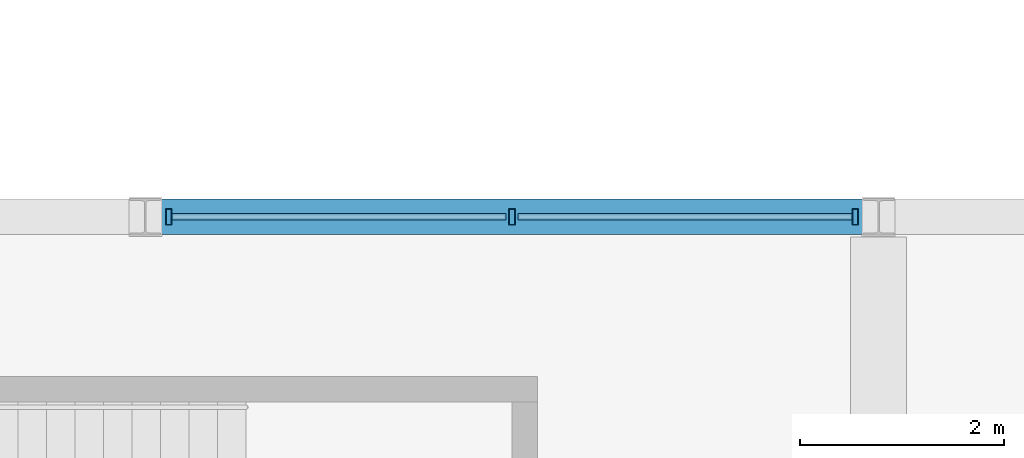
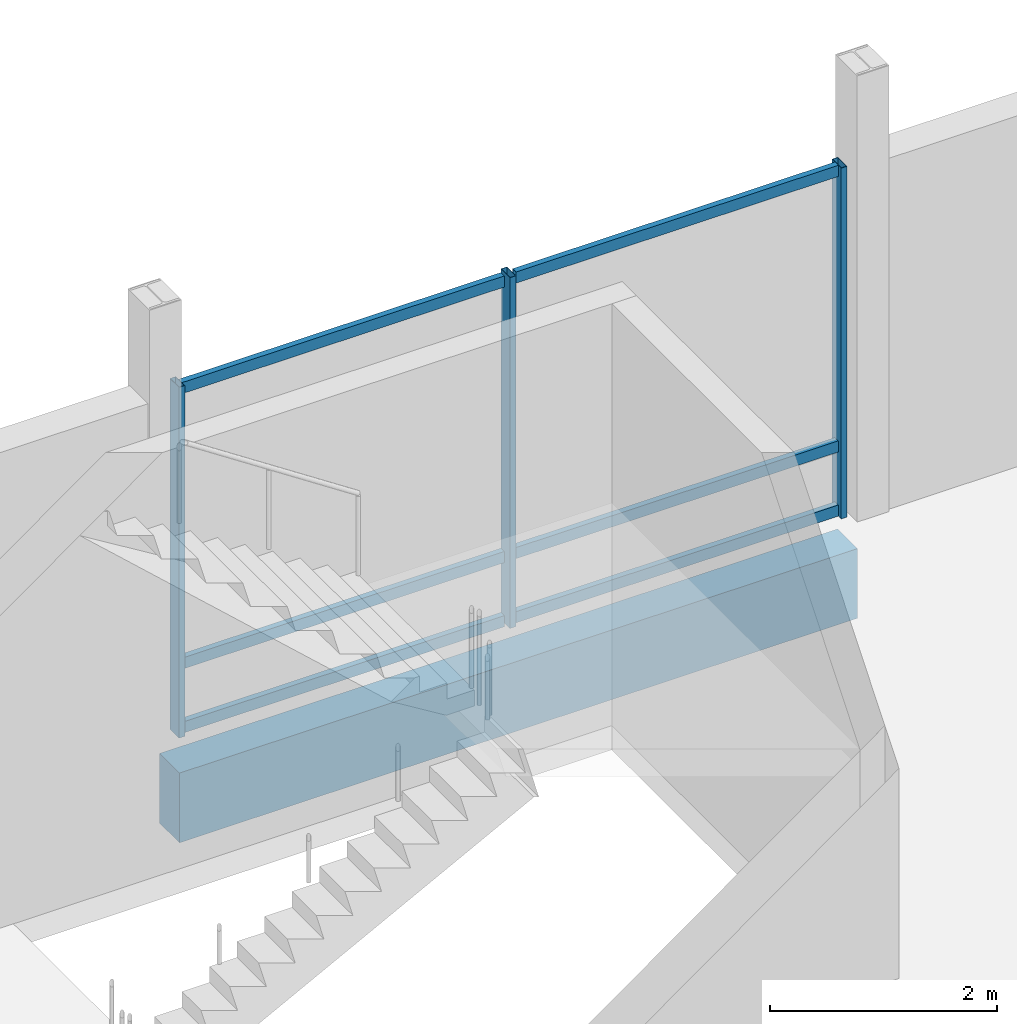
# One storey, part 30 of 193: 9 members, 1 beam, 1 element without a shape of its own.
"""IFC4 building model written with IfcOpenShell, lengths in metres."""

from ifc_helpers import new_model, si_unit, direction, frame, origin, origin_2d, place, context, subcontext, project, spatial, rectangle, hollow_rectangle, extrude, material, material_profile, profile_set, type_object, element, aggregate, save


model = new_model("IFC4")

# Units and contexts
model_context = context("Model", 3, precision=1e-05, world=origin(), true_north=direction((0.0, 1.0)))
body_context = subcontext(model_context, "Body", "Model", "MODEL_VIEW")
ifc_project = project(units=[si_unit("LENGTHUNIT", "METRE"), si_unit("AREAUNIT", "SQUARE_METRE"), si_unit("VOLUMEUNIT", "CUBIC_METRE"), si_unit("PLANEANGLEUNIT", "RADIAN"), si_unit("MASSUNIT", "GRAM", prefix="KILO")], contexts=[model_context])

# Site, building, storey
site_placement = place(None, origin())
site = spatial("IfcSite", under=ifc_project, at=site_placement, CompositionType="ELEMENT")
building_placement = place(site_placement, origin())
building = spatial("IfcBuilding", under=site, at=building_placement, Name="Cendralis Lancet Convention Centre", CompositionType="ELEMENT")
storey_placement = place(building_placement, frame((0.0, 0.0, 10.199951171875)))
storey = spatial("IfcBuildingStorey", under=building, at=storey_placement, Name="L02", CompositionType="ELEMENT", Elevation=10.199951171875)

# Curtain wall, members
ifc_material_1 = material(Name="Anodised bronze architectural aluminium", Category="aluminium")
curtain_wall_type = type_object("IfcCurtainWallType", Name="ARC-CW-CL02", PredefinedType="USERDEFINED", material=ifc_material_1)
curtain_wall_placement = place(storey_placement, origin())
curtain_wall = element("IfcCurtainWall", 1, at=curtain_wall_placement, inside=storey, type_object=curtain_wall_type, Name="L02 Curtain Wall CW-CL2 #172", ObjectType="CURTAIN WALL", PredefinedType="USERDEFINED")
ifc_material_profile_1 = material_profile(ifc_material_1, hollow_rectangle(XDim=0.06005859375, YDim=0.159912109375, WallThickness=0.00390625, at=origin_2d()), Name="AL-MULL 60x160x4.0")
ifc_profile_set_1 = profile_set([ifc_material_profile_1], Name="Anodised bronze architectural aluminium")
member_type_1 = type_object("IfcMemberType", Name="ARC-CW-ML01", PredefinedType="MULLION", material=ifc_profile_set_1)
member_1_placement = place(storey_placement, frame((72.22998046875, 36.0, 0.0), z_axis=(0.0, 0.0, 1.0), x_axis=(1.0, 0.0, 0.0)))
member_1 = element("IfcMember", 2, at=member_1_placement, type_object=member_type_1, Name="Mullion CW2-CW-CL2-L02-172-M0", PredefinedType="MULLION", context=body_context, shape_type="SweptSolid", body=[
    extrude(hollow_rectangle(XDim=0.06005859375, YDim=0.159912109375, WallThickness=0.00390625, at=origin_2d()), origin(), (0.0, 0.0, 1.0), 3.775146484375),
])
member_2_placement = place(storey_placement, frame((75.60009765625, 36.0, 0.0), z_axis=(0.0, 0.0, 1.0), x_axis=(1.0, 0.0, 0.0)))
member_2 = element("IfcMember", 3, at=member_2_placement, type_object=member_type_1, Name="Mullion CW2-CW-CL2-L02-172-M1", PredefinedType="MULLION", context=body_context, shape_type="SweptSolid", body=[
    extrude(hollow_rectangle(XDim=0.06005859375, YDim=0.159912109375, WallThickness=0.00390625, at=origin_2d()), origin(), (0.0, 0.0, 1.0), 3.775146484375),
])
member_3_placement = place(storey_placement, frame((78.969970703125, 36.0, 0.0), z_axis=(0.0, 0.0, 1.0), x_axis=(1.0, 0.0, 0.0)))
member_3 = element("IfcMember", 4, at=member_3_placement, type_object=member_type_1, Name="Mullion CW2-CW-CL2-L02-172-M2", PredefinedType="MULLION", context=body_context, shape_type="SweptSolid", body=[
    extrude(hollow_rectangle(XDim=0.06005859375, YDim=0.159912109375, WallThickness=0.00390625, at=origin_2d()), origin(), (0.0, 0.0, 1.0), 3.775146484375),
])
ifc_material_profile_2 = material_profile(ifc_material_1, hollow_rectangle(XDim=0.06005859375, YDim=0.1201171875, WallThickness=0.00390625, at=origin_2d()), Name="AL-TRAN 60x120x4.0")
ifc_profile_set_2 = profile_set([ifc_material_profile_2], Name="Anodised bronze architectural aluminium")
member_type_2 = type_object("IfcMemberType", Name="ARC-CW-TR01", PredefinedType="USERDEFINED", material=ifc_profile_set_2)
member_4_placement = place(storey_placement, frame((72.260009765625, 36.0, 0.06005859375), z_axis=(1.0, 0.0, 0.0), x_axis=(0.0, 1.0, 0.0)))
member_4 = element("IfcMember", 5, at=member_4_placement, type_object=member_type_2, Name="Transom CW2-CW-CL2-L02-172-T0BOT", ObjectType="TRANSOM", PredefinedType="USERDEFINED", context=body_context, shape_type="SweptSolid", body=[
    extrude(hollow_rectangle(XDim=0.06005859375, YDim=0.1201171875, WallThickness=0.00390625, at=origin_2d()), origin(), (0.0, 0.0, 1.0), 3.280029296875),
])
member_5_placement = place(storey_placement, frame((72.260009765625, 36.0, 0.75), z_axis=(1.0, 0.0, 0.0), x_axis=(0.0, 1.0, 0.0)))
member_5 = element("IfcMember", 6, at=member_5_placement, type_object=member_type_2, Name="Transom CW2-CW-CL2-L02-172-T0MID", ObjectType="TRANSOM", PredefinedType="USERDEFINED", context=body_context, shape_type="SweptSolid", body=[
    extrude(hollow_rectangle(XDim=0.06005859375, YDim=0.1201171875, WallThickness=0.00390625, at=origin_2d()), origin(), (0.0, 0.0, 1.0), 3.280029296875),
])
member_6_placement = place(storey_placement, frame((72.260009765625, 36.0, 3.715087890625), z_axis=(1.0, 0.0, 0.0), x_axis=(0.0, 1.0, 0.0)))
member_6 = element("IfcMember", 7, at=member_6_placement, type_object=member_type_2, Name="Transom CW2-CW-CL2-L02-172-T0TOP", ObjectType="TRANSOM", PredefinedType="USERDEFINED", context=body_context, shape_type="SweptSolid", body=[
    extrude(hollow_rectangle(XDim=0.06005859375, YDim=0.1201171875, WallThickness=0.00390625, at=origin_2d()), origin(), (0.0, 0.0, 1.0), 3.280029296875),
])
member_7_placement = place(storey_placement, frame((75.659912109375, 36.0, 0.06005859375), z_axis=(1.0, 0.0, 0.0), x_axis=(0.0, 1.0, 0.0)))
member_7 = element("IfcMember", 8, at=member_7_placement, type_object=member_type_2, Name="Transom CW2-CW-CL2-L02-172-T1BOT", ObjectType="TRANSOM", PredefinedType="USERDEFINED", context=body_context, shape_type="SweptSolid", body=[
    extrude(hollow_rectangle(XDim=0.06005859375, YDim=0.1201171875, WallThickness=0.00390625, at=origin_2d()), origin(), (0.0, 0.0, 1.0), 3.280029296875),
])
member_8_placement = place(storey_placement, frame((75.659912109375, 36.0, 0.75), z_axis=(1.0, 0.0, 0.0), x_axis=(0.0, 1.0, 0.0)))
member_8 = element("IfcMember", 9, at=member_8_placement, type_object=member_type_2, Name="Transom CW2-CW-CL2-L02-172-T1MID", ObjectType="TRANSOM", PredefinedType="USERDEFINED", context=body_context, shape_type="SweptSolid", body=[
    extrude(hollow_rectangle(XDim=0.06005859375, YDim=0.1201171875, WallThickness=0.00390625, at=origin_2d()), origin(), (0.0, 0.0, 1.0), 3.280029296875),
])
member_9_placement = place(storey_placement, frame((75.659912109375, 36.0, 3.715087890625), z_axis=(1.0, 0.0, 0.0), x_axis=(0.0, 1.0, 0.0)))
member_9 = element("IfcMember", 10, at=member_9_placement, type_object=member_type_2, Name="Transom CW2-CW-CL2-L02-172-T1TOP", ObjectType="TRANSOM", PredefinedType="USERDEFINED", context=body_context, shape_type="SweptSolid", body=[
    extrude(hollow_rectangle(XDim=0.06005859375, YDim=0.1201171875, WallThickness=0.00390625, at=origin_2d()), origin(), (0.0, 0.0, 1.0), 3.280029296875),
])
aggregate(curtain_wall, [member_1, member_2, member_3, member_4, member_5, member_6, member_7, member_8, member_9])

# Beam
ifc_material_2 = material(Name="Concrete G40 (C40/50)", Category="concrete")
ifc_material_profile_3 = material_profile(ifc_material_2, rectangle(XDim=0.35009765625, YDim=0.75, at=origin_2d()), Name="RCB 350x750")
ifc_profile_set_3 = profile_set([ifc_material_profile_3], Name="Concrete G40 (C40/50)")
beam_type = type_object("IfcBeamType", Name="STR-SP-SP01", PredefinedType="SPANDREL", material=ifc_profile_set_3)
beam_placement = place(storey_placement, frame((72.14990234375, 36.0, -0.675048828125), z_axis=(1.0, 0.0, 0.0), x_axis=(0.0, 1.0, 0.0)))
element("IfcBeam", 11, at=beam_placement, inside=storey, type_object=beam_type, Name="L02 Beam SP01 #0847", PredefinedType="SPANDREL", context=body_context, shape_type="SweptSolid", body=[
    extrude(rectangle(XDim=0.35009765625, YDim=0.75, at=origin_2d()), origin(), (0.0, 0.0, 1.0), 6.900146484375),
])

save(model, "model.ifc")
